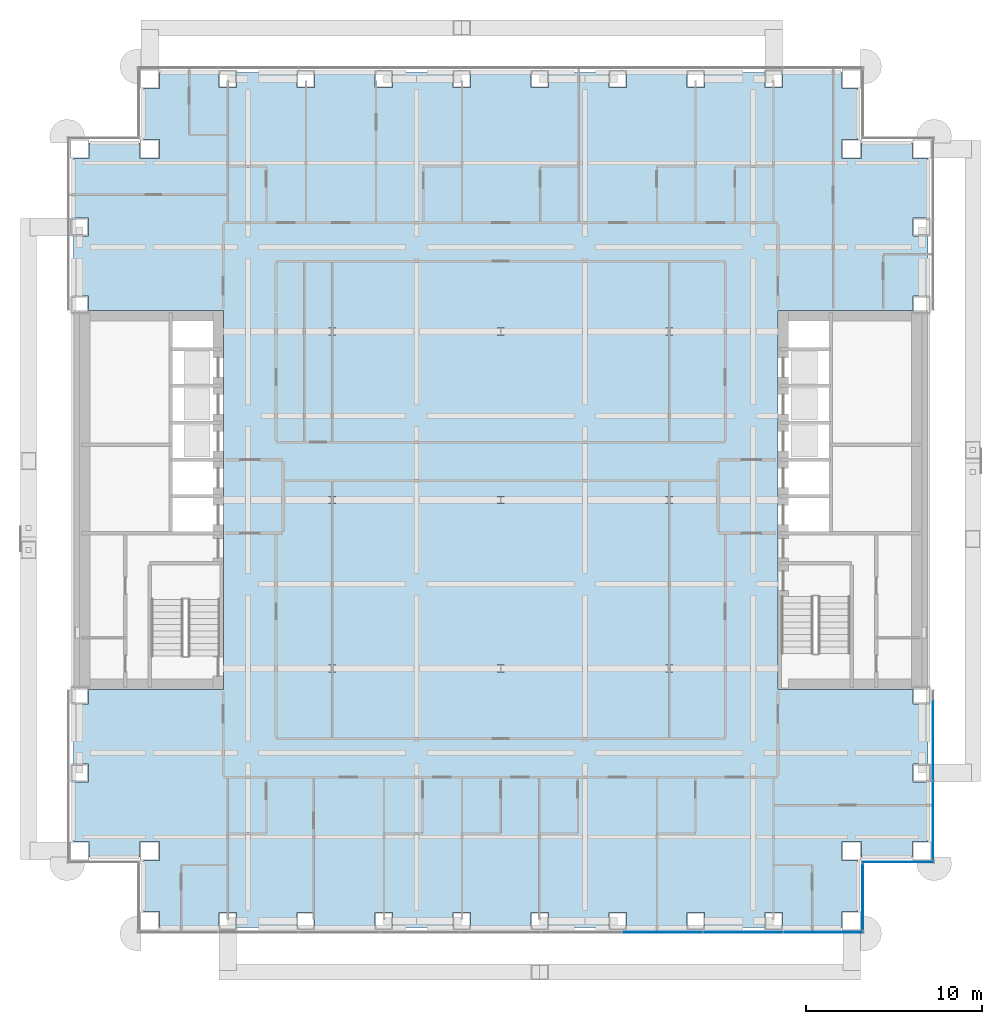
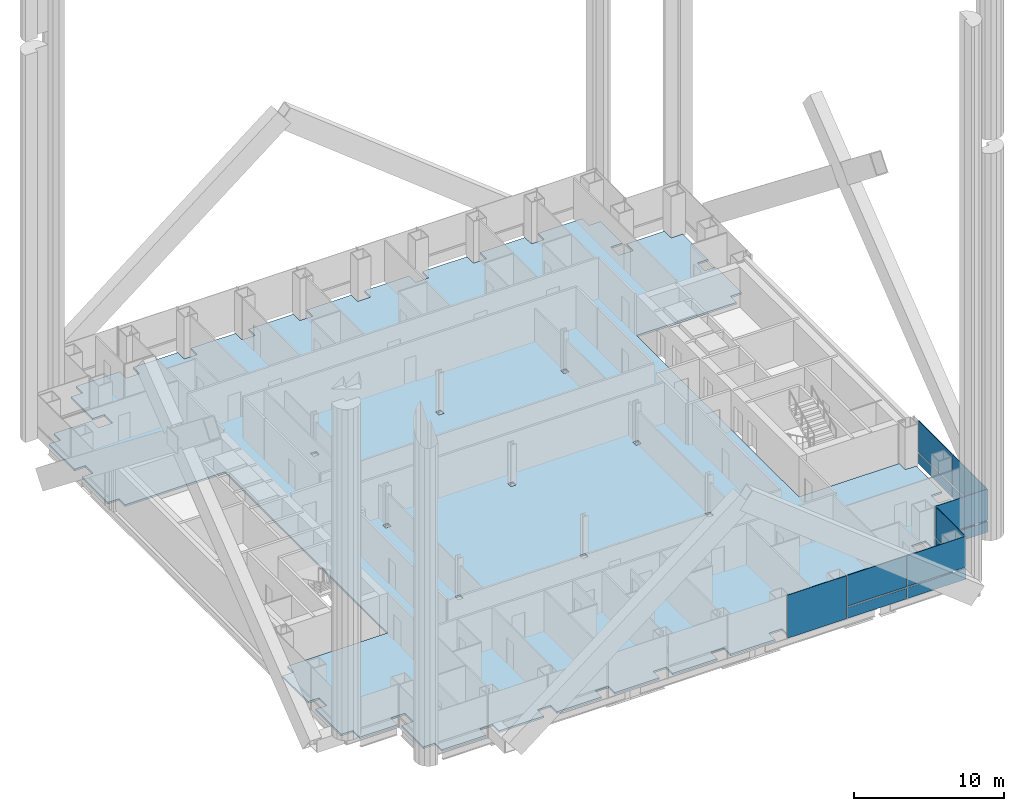
# One storey, part 15 of 28: 13 plates, 1 slab, 4 elements without a shape of their own.
"""IFC4 building model written with IfcOpenShell, lengths in metres."""

from ifc_helpers import new_model, si_unit, direction, frame, origin, origin_2d, place, context, subcontext, project, spatial, polyline, rectangle, outline, extrude, material, layer, layer_set, type_object, element, aggregate, save


model = new_model("IFC4")

# Units and contexts
model_context = context("Model", 3, precision=1e-05, world=origin(), true_north=direction((0.0, 1.0)))
body_context = subcontext(model_context, "Body", "Model", "MODEL_VIEW")
ifc_project = project(units=[si_unit("LENGTHUNIT", "METRE"), si_unit("AREAUNIT", "SQUARE_METRE"), si_unit("VOLUMEUNIT", "CUBIC_METRE"), si_unit("PLANEANGLEUNIT", "RADIAN"), si_unit("MASSUNIT", "GRAM", prefix="KILO")], contexts=[model_context])

# Site, building, storey
site_placement = place(None, origin())
site = spatial("IfcSite", under=ifc_project, at=site_placement, CompositionType="ELEMENT")
building_placement = place(site_placement, origin())
building = spatial("IfcBuilding", under=site, at=building_placement, Name="Cobrizo Arcos Hotel Tower", CompositionType="ELEMENT")
storey_placement = place(building_placement, frame((0.0, 0.0, 39.0)))
storey = spatial("IfcBuildingStorey", under=building, at=storey_placement, Name="L07", CompositionType="ELEMENT", Elevation=39.0)

# Curtain wall, plates
ifc_material_1 = material(Name="Aluminium 6063-T6 anodised bronze", Category="aluminium")
curtain_wall_type = type_object("IfcCurtainWallType", Name="CW-A guest facade", PredefinedType="NOTDEFINED", material=ifc_material_1)
curtain_wall_1_placement = place(storey_placement, origin())
curtain_wall_1 = element("IfcCurtainWall", 1, at=curtain_wall_1_placement, inside=storey, type_object=curtain_wall_type, Name="CW-A L07 S face", PredefinedType="NOTDEFINED")
ifc_material_2 = material(Name="Glass clear laminated low-e", Category="glass")
ifc_layer_1 = layer(ifc_material_2, 0.0400390625)
ifc_layer_set_1 = layer_set([ifc_layer_1], Name="CW-A glass panel")
plate_type_1 = type_object("IfcPlateType", Name="CW-A glass panel", PredefinedType="CURTAIN_PANEL", material=ifc_layer_set_1)
plate_1_placement = place(storey_placement, frame((13.800048828125, -24.625, 0.990234375), z_axis=(0.0, 0.0, 1.0), x_axis=(1.0, 0.0, 0.0)))
plate_1 = element("IfcPlate", 2, at=plate_1_placement, type_object=plate_type_1, Name="CW-A glass panel 368", PredefinedType="CURTAIN_PANEL", context=body_context, shape_type="SweptSolid", body=[
    extrude(rectangle(XDim=4.5400390625, YDim=0.0400390625, at=origin_2d()), origin(), (0.0, 0.0, 1.0), 2.510009765625),
])
plate_2_placement = place(storey_placement, frame((18.385009765625, -24.625, 0.990234375), z_axis=(0.0, 0.0, 1.0), x_axis=(1.0, 0.0, 0.0)))
plate_2 = element("IfcPlate", 3, at=plate_2_placement, type_object=plate_type_1, Name="CW-A glass panel 369", PredefinedType="CURTAIN_PANEL", context=body_context, shape_type="SweptSolid", body=[
    extrude(rectangle(XDim=4.510009765625, YDim=0.0400390625, at=origin_2d()), origin(), (0.0, 0.0, 1.0), 2.510009765625),
])

# Curtain wall, plate
curtain_wall_2_placement = place(storey_placement, origin())
curtain_wall_2 = element("IfcCurtainWall", 4, at=curtain_wall_2_placement, inside=storey, type_object=curtain_wall_type, Name="CW-A L07 E face", PredefinedType="NOTDEFINED")
plate_3_placement = place(storey_placement, frame((20.625, -22.625, 0.990234375), z_axis=(0.0, 0.0, 1.0), x_axis=(0.0, 1.0, 0.0)))
plate_3 = element("IfcPlate", 5, at=plate_3_placement, type_object=plate_type_1, Name="CW-A glass panel 370", PredefinedType="CURTAIN_PANEL", context=body_context, shape_type="SweptSolid", body=[
    extrude(rectangle(XDim=3.72998046875, YDim=0.0400390625, at=origin_2d()), origin(), (0.0, 0.0, 1.0), 2.510009765625),
])

curtain_wall_3_placement = place(storey_placement, origin())
curtain_wall_3 = element("IfcCurtainWall", 6, at=curtain_wall_3_placement, inside=storey, type_object=curtain_wall_type, Name="CW-A L07 S face", PredefinedType="NOTDEFINED")
plate_4_placement = place(storey_placement, frame((22.625, -20.625, 0.990234375), z_axis=(0.0, 0.0, 1.0), x_axis=(1.0, 0.0, 0.0)))
plate_4 = element("IfcPlate", 7, at=plate_4_placement, type_object=plate_type_1, Name="CW-A glass panel 371", PredefinedType="CURTAIN_PANEL", context=body_context, shape_type="SweptSolid", body=[
    extrude(rectangle(XDim=4.030029296875, YDim=0.0400390625, at=origin_2d()), origin(), (0.0, 0.0, 1.0), 2.510009765625),
])

# Curtain wall, plates
curtain_wall_4_placement = place(storey_placement, origin())
curtain_wall_4 = element("IfcCurtainWall", 8, at=curtain_wall_4_placement, inside=storey, type_object=curtain_wall_type, Name="CW-A L07 E face", PredefinedType="NOTDEFINED")
plate_5_placement = place(storey_placement, frame((24.625, -18.251708984375, 0.990234375), z_axis=(0.0, 0.0, 1.0), x_axis=(0.0, 1.0, 0.0)))
plate_5 = element("IfcPlate", 9, at=plate_5_placement, type_object=plate_type_1, Name="CW-A glass panel 372", PredefinedType="CURTAIN_PANEL", context=body_context, shape_type="SweptSolid", body=[
    extrude(rectangle(XDim=4.4765625, YDim=0.0400390625, at=origin_2d()), origin(), (0.0, 0.0, 1.0), 2.510009765625),
])
plate_6_placement = place(storey_placement, frame((24.625, -13.699951171875, 0.990234375), z_axis=(0.0, 0.0, 1.0), x_axis=(0.0, 1.0, 0.0)))
plate_6 = element("IfcPlate", 10, at=plate_6_placement, type_object=plate_type_1, Name="CW-A glass panel 373", PredefinedType="CURTAIN_PANEL", context=body_context, shape_type="SweptSolid", body=[
    extrude(rectangle(XDim=4.506591796875, YDim=0.0400390625, at=origin_2d()), origin(), (0.0, 0.0, 1.0), 2.510009765625),
])

# Plate
ifc_material_3 = material(Name="Aluminium composite panel pale metal", Category="aluminium")
ifc_layer_2 = layer(ifc_material_3, 0.0400390625)
ifc_layer_set_2 = layer_set([ifc_layer_2], Name="CW-A spandrel panel")
plate_type_2 = type_object("IfcPlateType", Name="CW-A spandrel panel", PredefinedType="CURTAIN_PANEL", material=ifc_layer_set_2)
plate_7_placement = place(storey_placement, frame((9.199951171875, -24.625, 0.0), z_axis=(0.0, 0.0, 1.0), x_axis=(1.0, 0.0, 0.0)))
plate_7 = element("IfcPlate", 11, at=plate_7_placement, type_object=plate_type_2, Name="CW-A spandrel panel 367", PredefinedType="CURTAIN_PANEL", context=body_context, shape_type="SweptSolid", body=[
    extrude(rectangle(XDim=4.5400390625, YDim=0.0400390625, at=origin_2d()), origin(), (0.0, 0.0, 1.0), 3.5),
])

plate_8_placement = place(storey_placement, frame((13.800048828125, -24.625, 0.0), z_axis=(0.0, 0.0, 1.0), x_axis=(1.0, 0.0, 0.0)))
plate_8 = element("IfcPlate", 12, at=plate_8_placement, type_object=plate_type_2, Name="CW-A spandrel panel 368", PredefinedType="CURTAIN_PANEL", context=body_context, shape_type="SweptSolid", body=[
    extrude(rectangle(XDim=4.5400390625, YDim=0.0400390625, at=origin_2d()), origin(), (0.0, 0.0, 1.0), 0.8701171875),
])

plate_9_placement = place(storey_placement, frame((18.385009765625, -24.625, 0.0), z_axis=(0.0, 0.0, 1.0), x_axis=(1.0, 0.0, 0.0)))
plate_9 = element("IfcPlate", 13, at=plate_9_placement, type_object=plate_type_2, Name="CW-A spandrel panel 369", PredefinedType="CURTAIN_PANEL", context=body_context, shape_type="SweptSolid", body=[
    extrude(rectangle(XDim=4.510009765625, YDim=0.0400390625, at=origin_2d()), origin(), (0.0, 0.0, 1.0), 0.8701171875),
])

aggregate(curtain_wall_1, [plate_7, plate_8, plate_1, plate_9, plate_2])

plate_10_placement = place(storey_placement, frame((20.625, -22.625, 0.0), z_axis=(0.0, 0.0, 1.0), x_axis=(0.0, 1.0, 0.0)))
plate_10 = element("IfcPlate", 14, at=plate_10_placement, type_object=plate_type_2, Name="CW-A spandrel panel 370", PredefinedType="CURTAIN_PANEL", context=body_context, shape_type="SweptSolid", body=[
    extrude(rectangle(XDim=3.72998046875, YDim=0.0400390625, at=origin_2d()), origin(), (0.0, 0.0, 1.0), 0.8701171875),
])

aggregate(curtain_wall_2, [plate_10, plate_3])

plate_11_placement = place(storey_placement, frame((22.625, -20.625, 0.0), z_axis=(0.0, 0.0, 1.0), x_axis=(1.0, 0.0, 0.0)))
plate_11 = element("IfcPlate", 15, at=plate_11_placement, type_object=plate_type_2, Name="CW-A spandrel panel 371", PredefinedType="CURTAIN_PANEL", context=body_context, shape_type="SweptSolid", body=[
    extrude(rectangle(XDim=4.030029296875, YDim=0.0400390625, at=origin_2d()), origin(), (0.0, 0.0, 1.0), 0.8701171875),
])

aggregate(curtain_wall_3, [plate_11, plate_4])

plate_12_placement = place(storey_placement, frame((24.625, -18.251708984375, 0.0), z_axis=(0.0, 0.0, 1.0), x_axis=(0.0, 1.0, 0.0)))
plate_12 = element("IfcPlate", 16, at=plate_12_placement, type_object=plate_type_2, Name="CW-A spandrel panel 372", PredefinedType="CURTAIN_PANEL", context=body_context, shape_type="SweptSolid", body=[
    extrude(rectangle(XDim=4.4765625, YDim=0.0400390625, at=origin_2d()), origin(), (0.0, 0.0, 1.0), 0.8701171875),
])

plate_13_placement = place(storey_placement, frame((24.625, -13.699951171875, 0.0), z_axis=(0.0, 0.0, 1.0), x_axis=(0.0, 1.0, 0.0)))
plate_13 = element("IfcPlate", 17, at=plate_13_placement, type_object=plate_type_2, Name="CW-A spandrel panel 373", PredefinedType="CURTAIN_PANEL", context=body_context, shape_type="SweptSolid", body=[
    extrude(rectangle(XDim=4.506591796875, YDim=0.0400390625, at=origin_2d()), origin(), (0.0, 0.0, 1.0), 0.8701171875),
])

aggregate(curtain_wall_4, [plate_12, plate_5, plate_13, plate_6])

# Slab
ifc_material_4 = material(Name="Concrete f'c 35 MPa", Category="concrete")
ifc_layer_3 = layer(ifc_material_4, 0.14990234375)
ifc_layer_set_3 = layer_set([ifc_layer_3], Name="Composite floor slab 150 f'c 35")
slab_type = type_object("IfcSlabType", Name="Composite floor slab 150 f'c 35", PredefinedType="FLOOR", material=ifc_layer_set_3)
slab_placement = place(storey_placement, frame((0.0, 0.0, -0.14990234375)))
element("IfcSlab", 18, at=slab_placement, inside=storey, type_object=slab_type, Name="Floor slab S5, L07, no. 01", PredefinedType="FLOOR", context=body_context, shape_type="SweptSolid", body=[
    extrude(outline(polyline([(-24.35009765625, -16.055908203125), (-23.5, -16.055908203125), (-23.5, -15.055908203125), (-24.35009765625, -15.055908203125), (-24.35009765625, -11.611083984375), (-23.5, -11.611083984375), (-23.5, -10.800048828125), (-15.800048828125, -10.800048828125), (-15.800048828125, 10.800048828125), (-23.5, 10.800048828125), (-23.5, 11.611083984375), (-24.35009765625, 11.611083984375), (-24.35009765625, 15.055908203125), (-23.5, 15.055908203125), (-23.5, 16.055908203125), (-24.35009765625, 16.055908203125), (-24.35009765625, 19.449951171875), (-23.449951171875, 19.449951171875), (-23.449951171875, 20.35009765625), (-20.550048828125, 20.35009765625), (-20.550048828125, 19.449951171875), (-19.449951171875, 19.449951171875), (-19.449951171875, 20.550048828125), (-20.35009765625, 20.550048828125), (-20.35009765625, 23.449951171875), (-19.449951171875, 23.449951171875), (-19.449951171875, 24.35009765625), (-16.055908203125, 24.35009765625), (-16.055908203125, 23.5), (-15.055908203125, 23.5), (-15.055908203125, 24.35009765625), (-11.611083984375, 24.35009765625), (-11.611083984375, 23.5), (-10.611083984375, 23.5), (-10.611083984375, 24.35009765625), (-7.1669921875, 24.35009765625), (-7.1669921875, 23.5), (-6.1669921875, 23.5), (-6.1669921875, 24.35009765625), (-2.721923828125, 24.35009765625), (-2.721923828125, 23.5), (-1.721923828125, 23.5), (-1.721923828125, 24.35009765625), (1.721923828125, 24.35009765625), (1.721923828125, 23.5), (2.721923828125, 23.5), (2.721923828125, 24.35009765625), (6.1669921875, 24.35009765625), (6.1669921875, 23.5), (7.1669921875, 23.5), (7.1669921875, 24.35009765625), (10.611083984375, 24.35009765625), (10.611083984375, 23.5), (11.611083984375, 23.5), (11.611083984375, 24.35009765625), (15.055908203125, 24.35009765625), (15.055908203125, 23.5), (16.055908203125, 23.5), (16.055908203125, 24.35009765625), (19.449951171875, 24.35009765625), (19.449951171875, 23.449951171875), (20.35009765625, 23.449951171875), (20.35009765625, 20.550048828125), (19.449951171875, 20.550048828125), (19.449951171875, 19.449951171875), (20.550048828125, 19.449951171875), (20.550048828125, 20.35009765625), (23.449951171875, 20.35009765625), (23.449951171875, 19.449951171875), (24.35009765625, 19.449951171875), (24.35009765625, 16.055908203125), (23.5, 16.055908203125), (23.5, 15.055908203125), (24.35009765625, 15.055908203125), (24.35009765625, 11.611083984375), (23.5, 11.611083984375), (23.5, 10.800048828125), (15.800048828125, 10.800048828125), (15.800048828125, -10.800048828125), (23.5, -10.800048828125), (23.5, -11.611083984375), (24.35009765625, -11.611083984375), (24.35009765625, -15.055908203125), (23.5, -15.055908203125), (23.5, -16.055908203125), (24.35009765625, -16.055908203125), (24.35009765625, -19.449951171875), (23.449951171875, -19.449951171875), (23.449951171875, -20.35009765625), (20.550048828125, -20.35009765625), (20.550048828125, -19.449951171875), (19.449951171875, -19.449951171875), (19.449951171875, -20.550048828125), (20.35009765625, -20.550048828125), (20.35009765625, -23.449951171875), (19.449951171875, -23.449951171875), (19.449951171875, -24.35009765625), (16.055908203125, -24.35009765625), (16.055908203125, -23.5), (15.055908203125, -23.5), (15.055908203125, -24.35009765625), (11.611083984375, -24.35009765625), (11.611083984375, -23.5), (10.611083984375, -23.5), (10.611083984375, -24.35009765625), (7.1669921875, -24.35009765625), (7.1669921875, -23.5), (6.1669921875, -23.5), (6.1669921875, -24.35009765625), (2.721923828125, -24.35009765625), (2.721923828125, -23.5), (1.721923828125, -23.5), (1.721923828125, -24.35009765625), (-1.721923828125, -24.35009765625), (-1.721923828125, -23.5), (-2.721923828125, -23.5), (-2.721923828125, -24.35009765625), (-6.1669921875, -24.35009765625), (-6.1669921875, -23.5), (-7.1669921875, -23.5), (-7.1669921875, -24.35009765625), (-10.611083984375, -24.35009765625), (-10.611083984375, -23.5), (-11.611083984375, -23.5), (-11.611083984375, -24.35009765625), (-15.055908203125, -24.35009765625), (-15.055908203125, -23.5), (-16.055908203125, -23.5), (-16.055908203125, -24.35009765625), (-19.449951171875, -24.35009765625), (-19.449951171875, -23.449951171875), (-20.35009765625, -23.449951171875), (-20.35009765625, -20.550048828125), (-19.449951171875, -20.550048828125), (-19.449951171875, -19.449951171875), (-20.550048828125, -19.449951171875), (-20.550048828125, -20.35009765625), (-23.449951171875, -20.35009765625), (-23.449951171875, -19.449951171875), (-24.35009765625, -19.449951171875), (-24.35009765625, -16.055908203125)]), holes=[polyline([(-9.3955078125, 9.3955078125), (-9.3955078125, 9.804443359375), (-9.804443359375, 9.804443359375), (-9.804443359375, 9.3955078125), (-9.3955078125, 9.3955078125)]), polyline([(-9.3955078125, -9.804443359375), (-9.3955078125, -9.3955078125), (-9.804443359375, -9.3955078125), (-9.804443359375, -9.804443359375), (-9.3955078125, -9.804443359375)]), polyline([(-0.204345703125, -9.804443359375), (0.204345703125, -9.804443359375), (0.204345703125, -9.3955078125), (-0.204345703125, -9.3955078125), (-0.204345703125, -9.804443359375)]), polyline([(9.3955078125, -9.804443359375), (9.804443359375, -9.804443359375), (9.804443359375, -9.3955078125), (9.3955078125, -9.3955078125), (9.3955078125, -9.804443359375)]), polyline([(-9.3955078125, -0.204345703125), (-9.3955078125, 0.204345703125), (-9.804443359375, 0.204345703125), (-9.804443359375, -0.204345703125), (-9.3955078125, -0.204345703125)]), polyline([(-0.204345703125, -0.204345703125), (0.204345703125, -0.204345703125), (0.204345703125, 0.204345703125), (-0.204345703125, 0.204345703125), (-0.204345703125, -0.204345703125)]), polyline([(9.3955078125, -0.204345703125), (9.804443359375, -0.204345703125), (9.804443359375, 0.204345703125), (9.3955078125, 0.204345703125), (9.3955078125, -0.204345703125)]), polyline([(0.204345703125, 9.3955078125), (0.204345703125, 9.804443359375), (-0.204345703125, 9.804443359375), (-0.204345703125, 9.3955078125), (0.204345703125, 9.3955078125)]), polyline([(9.3955078125, 9.3955078125), (9.804443359375, 9.3955078125), (9.804443359375, 9.804443359375), (9.3955078125, 9.804443359375), (9.3955078125, 9.3955078125)])]), origin(), (0.0, 0.0, 1.0), 0.14990234375),
])

save(model, "model.ifc")
